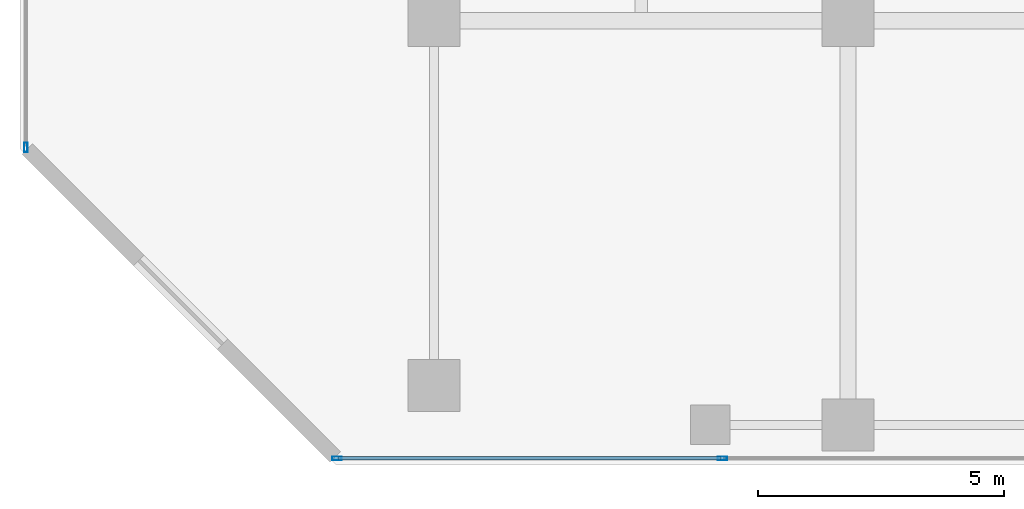
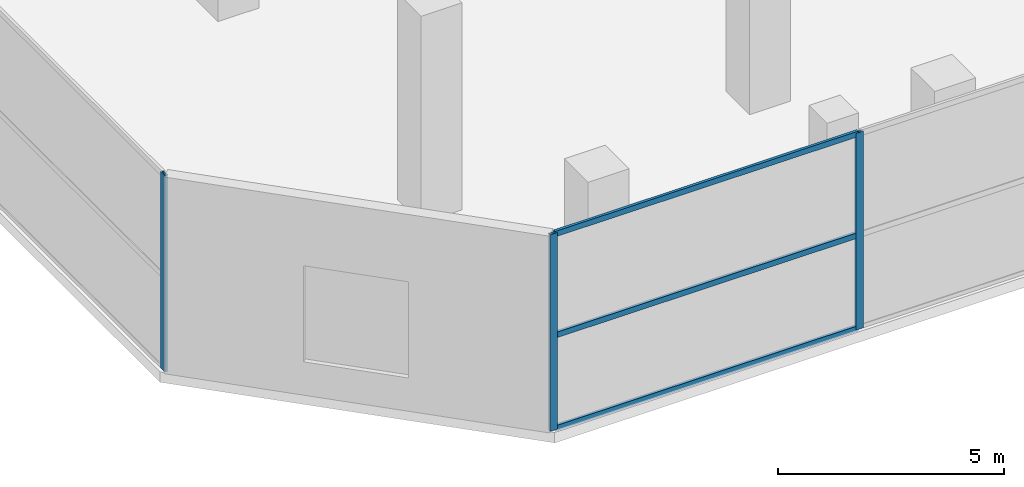
# One storey, part 2 of 40: 6 members, 2 elements without a shape of their own.
"""IFC4 building model written with IfcOpenShell, lengths in metres."""

from ifc_helpers import new_model, si_unit, direction, frame, origin, origin_2d, place, context, subcontext, project, spatial, hollow_rectangle, extrude, material, layer, layer_set, material_profile, profile_set, type_object, element, aggregate, save


model = new_model("IFC4")

# Units and contexts
model_context = context("Model", 3, precision=1e-05, world=origin(), true_north=direction((0.0, 1.0)))
body_context = subcontext(model_context, "Body", "Model", "MODEL_VIEW")
ifc_project = project(units=[si_unit("LENGTHUNIT", "METRE"), si_unit("AREAUNIT", "SQUARE_METRE"), si_unit("VOLUMEUNIT", "CUBIC_METRE"), si_unit("PLANEANGLEUNIT", "RADIAN"), si_unit("MASSUNIT", "GRAM", prefix="KILO")], contexts=[model_context])

# Site, building, storey
site_placement = place(None, origin())
site = spatial("IfcSite", under=ifc_project, at=site_placement, CompositionType="ELEMENT")
building_placement = place(site_placement, origin())
building = spatial("IfcBuilding", under=site, at=building_placement, Name="Maruvema Waterfront Hotel and Observation Tower", CompositionType="ELEMENT")
storey_placement = place(building_placement, frame((0.0, 0.0, 10.85009765625)))
storey = spatial("IfcBuildingStorey", under=building, at=storey_placement, Name="L02", CompositionType="ELEMENT", Elevation=10.85009765625)

# Curtain wall, members
ifc_material_1 = material(Name="Anodised bronze aluminium and solar-control low-E IGU", Category="aluminium")
ifc_layer = layer(ifc_material_1, 0.159912109375, Name="Podium Waterfront Storefront Curtain Wall System CW-01")
ifc_layer_set = layer_set([ifc_layer], Name="Anodised bronze aluminium and solar-control low-E IGU")
curtain_wall_type = type_object("IfcCurtainWallType", Name="Podium Waterfront Storefront Curtain Wall System CW-01", PredefinedType="USERDEFINED", material=ifc_layer_set)
curtain_wall_1_placement = place(storey_placement, origin())
curtain_wall_1 = element("IfcCurtainWall", 1, at=curtain_wall_1_placement, inside=storey, type_object=curtain_wall_type, Name="L02 Curtain Wall CW-L02-S", ObjectType="UNITISED CURTAIN WALL", PredefinedType="USERDEFINED")
ifc_material_2 = material(Name="Anodised architectural bronze aluminium", Category="aluminium")
ifc_material_profile_1 = material_profile(ifc_material_2, hollow_rectangle(XDim=0.070068359375, YDim=0.14990234375, WallThickness=0.00390625, at=origin_2d()), Name="ALU-T70x150")
ifc_profile_set_1 = profile_set([ifc_material_profile_1], Name="Anodised architectural bronze aluminium")
member_type_1 = type_object("IfcMemberType", Name="Curtain Wall Horizontal Transom ALU-T70x150", PredefinedType="USERDEFINED", material=ifc_profile_set_1)
member_1_placement = place(storey_placement, frame((6.4599609375, 0.1201171875, 0.02978515625), z_axis=(1.0, 0.0, 0.0), x_axis=(0.0, 1.0, 0.0)))
member_1 = element("IfcMember", 2, at=member_1_placement, type_object=member_type_1, Name="CW-01 transom 1.1", ObjectType="TRANSOM", PredefinedType="USERDEFINED", context=body_context, shape_type="SweptSolid", body=[
    extrude(hollow_rectangle(XDim=0.070068359375, YDim=0.14990234375, WallThickness=0.00390625, at=origin_2d()), origin(), (0.0, 0.0, 1.0), 7.760009765625),
])
member_2_placement = place(storey_placement, frame((6.4599609375, 0.1201171875, 2.5498046875), z_axis=(1.0, 0.0, 0.0), x_axis=(0.0, 1.0, 0.0)))
member_2 = element("IfcMember", 3, at=member_2_placement, type_object=member_type_1, Name="CW-01 transom 1.2", ObjectType="TRANSOM", PredefinedType="USERDEFINED", context=body_context, shape_type="SweptSolid", body=[
    extrude(hollow_rectangle(XDim=0.070068359375, YDim=0.14990234375, WallThickness=0.00390625, at=origin_2d()), origin(), (0.0, 0.0, 1.0), 7.760009765625),
])
member_3_placement = place(storey_placement, frame((6.4599609375, 0.1201171875, 5.289794921875), z_axis=(1.0, 0.0, 0.0), x_axis=(0.0, 1.0, 0.0)))
member_3 = element("IfcMember", 4, at=member_3_placement, type_object=member_type_1, Name="CW-01 transom 1.3", ObjectType="TRANSOM", PredefinedType="USERDEFINED", context=body_context, shape_type="SweptSolid", body=[
    extrude(hollow_rectangle(XDim=0.070068359375, YDim=0.14990234375, WallThickness=0.00390625, at=origin_2d()), origin(), (0.0, 0.0, 1.0), 7.760009765625),
])
ifc_material_3 = material(Name="Anodised architectural bronze aluminium", Category="aluminium")
ifc_material_profile_2 = material_profile(ifc_material_3, hollow_rectangle(XDim=0.070068359375, YDim=0.18994140625, WallThickness=0.00390625, at=origin_2d()), Name="ALU-M70x190")
ifc_profile_set_2 = profile_set([ifc_material_profile_2], Name="Anodised architectural bronze aluminium")
member_type_2 = type_object("IfcMemberType", Name="Podium Storefront Heavy Mullion ALU-M70x190", PredefinedType="MULLION", material=ifc_profile_set_2)
member_4_placement = place(storey_placement, frame((6.429931640625, 0.1201171875, 0.0), z_axis=(0.0, 0.0, 1.0), x_axis=(0.0, 1.0, 0.0)))
member_4 = element("IfcMember", 5, at=member_4_placement, type_object=member_type_2, Name="CW-01 mullion 1", PredefinedType="MULLION", context=body_context, shape_type="SweptSolid", body=[
    extrude(hollow_rectangle(XDim=0.070068359375, YDim=0.18994140625, WallThickness=0.00390625, at=origin_2d()), origin(), (0.0, 0.0, 1.0), 5.31982421875),
])
member_5_placement = place(storey_placement, frame((14.25, 0.1201171875, 0.0), z_axis=(0.0, 0.0, 1.0), x_axis=(0.0, 1.0, 0.0)))
member_5 = element("IfcMember", 6, at=member_5_placement, type_object=member_type_2, Name="CW-01 mullion 2", PredefinedType="MULLION", context=body_context, shape_type="SweptSolid", body=[
    extrude(hollow_rectangle(XDim=0.070068359375, YDim=0.18994140625, WallThickness=0.00390625, at=origin_2d()), origin(), (0.0, 0.0, 1.0), 5.31982421875),
])
aggregate(curtain_wall_1, [member_4, member_5, member_1, member_2, member_3])

# Curtain wall, member
curtain_wall_2_placement = place(storey_placement, origin())
curtain_wall_2 = element("IfcCurtainWall", 7, at=curtain_wall_2_placement, inside=storey, type_object=curtain_wall_type, Name="L02 Curtain Wall CW-L02-W", ObjectType="UNITISED CURTAIN WALL", PredefinedType="USERDEFINED")
member_6_placement = place(storey_placement, frame((0.1201171875, 6.429931640625, 0.0), z_axis=(0.0, 0.0, 1.0), x_axis=(1.0, 0.0, 0.0)))
member_6 = element("IfcMember", 8, at=member_6_placement, type_object=member_type_2, Name="CW-01 mullion 6", PredefinedType="MULLION", context=body_context, shape_type="SweptSolid", body=[
    extrude(hollow_rectangle(XDim=0.070068359375, YDim=0.18994140625, WallThickness=0.00390625, at=origin_2d()), origin(), (0.0, 0.0, 1.0), 5.31982421875),
])
aggregate(curtain_wall_2, [member_6])

save(model, "model.ifc")
